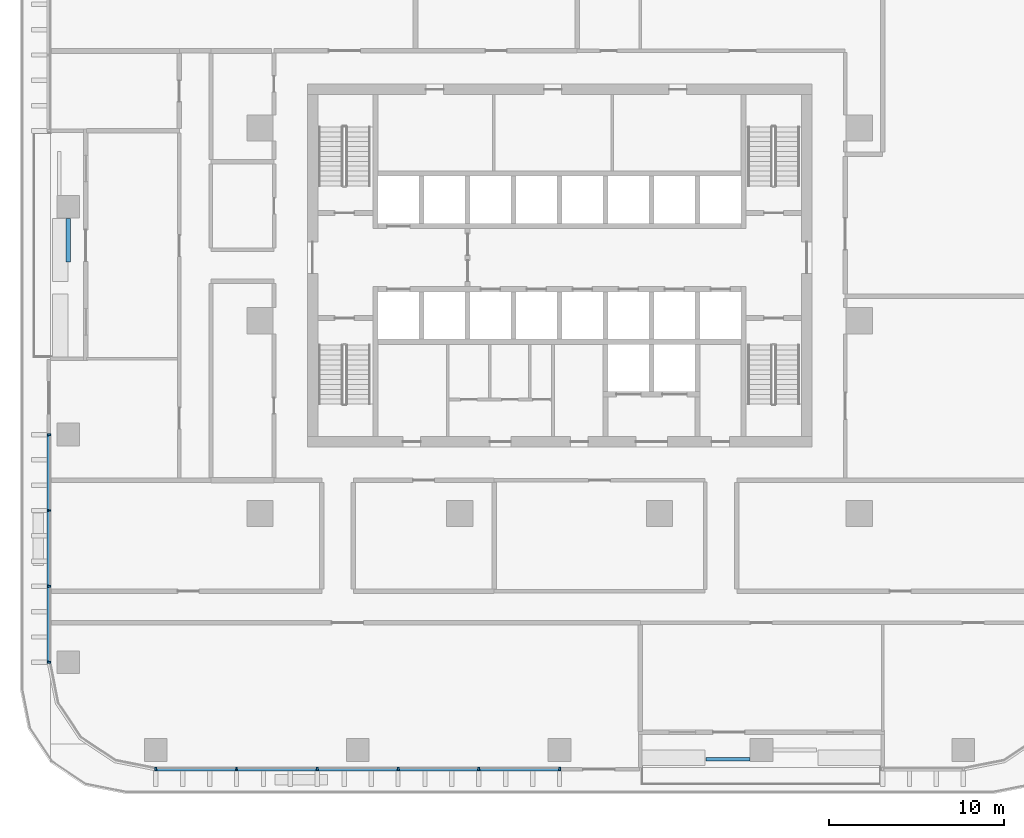
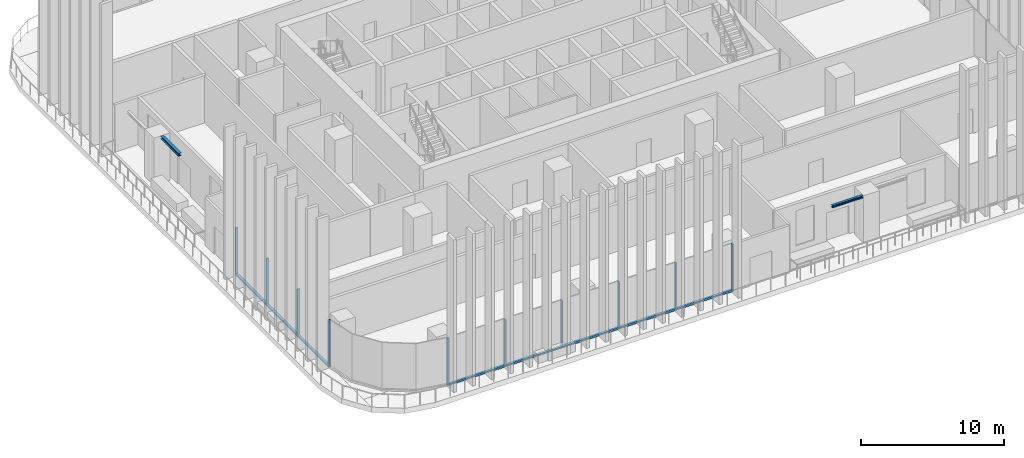
# One storey, part 2 of 18: 18 members, 2 beams, 2 elements without a shape of their own.
"""IFC4 building model written with IfcOpenShell, lengths in metres."""

from ifc_helpers import new_model, si_unit, direction, frame, origin, origin_2d, place, context, subcontext, project, spatial, rectangle, i_section, extrude, material, material_profile, profile_set, type_object, element, aggregate, save


model = new_model("IFC4")

# Units and contexts
model_context = context("Model", 3, precision=1e-05, world=origin(), true_north=direction((0.0, 1.0)))
body_context = subcontext(model_context, "Body", "Model", "MODEL_VIEW")
ifc_project = project(units=[si_unit("LENGTHUNIT", "METRE"), si_unit("AREAUNIT", "SQUARE_METRE"), si_unit("VOLUMEUNIT", "CUBIC_METRE"), si_unit("PLANEANGLEUNIT", "RADIAN"), si_unit("MASSUNIT", "GRAM", prefix="KILO")], contexts=[model_context])

# Site, building, storey
site_placement = place(None, origin())
site = spatial("IfcSite", under=ifc_project, at=site_placement, CompositionType="ELEMENT")
building_placement = place(site_placement, origin())
building = spatial("IfcBuilding", under=site, at=building_placement, Name="Mopane Tessera Tower", CompositionType="ELEMENT")
storey_placement = place(building_placement, frame((0.0, 0.0, 94.60009765625)))
storey = spatial("IfcBuildingStorey", under=building, at=storey_placement, Name="L18", CompositionType="ELEMENT", Elevation=94.60009765625)

# Curtain wall, members
ifc_material_1 = material(Name="Aluminium frame", Category="aluminium")
curtain_wall_type = type_object("IfcCurtainWallType", Name="Lower tower unitised wall", PredefinedType="NOTDEFINED", material=ifc_material_1)
curtain_wall_1_placement = place(storey_placement, origin())
curtain_wall_1 = element("IfcCurtainWall", 1, at=curtain_wall_1_placement, inside=storey, type_object=curtain_wall_type, Name="e:cw:L18:S:0", PredefinedType="NOTDEFINED")
ifc_material_2 = material(Name="Aluminium frame", Category="aluminium")
ifc_material_profile_1 = material_profile(ifc_material_2, rectangle(XDim=0.110107421875, YDim=0.199951171875, at=origin_2d()))
ifc_profile_set_1 = profile_set([ifc_material_profile_1], Name="Aluminium frame")
member_type_1 = type_object("IfcMemberType", Name="Aluminium mullion 110 x 200", PredefinedType="MULLION", material=ifc_profile_set_1)
member_1_placement = place(storey_placement, frame((-23.050048828125, -25.60009765625, 0.0), z_axis=(0.0, 0.0, 1.0), x_axis=(1.0, 0.0, 0.0)))
member_1 = element("IfcMember", 2, at=member_1_placement, type_object=member_type_1, Name="e:cw:L18:S:0:mu0", PredefinedType="MULLION", context=body_context, shape_type="SweptSolid", body=[
    extrude(rectangle(XDim=0.110107421875, YDim=0.199951171875, at=origin_2d()), origin(), (0.0, 0.0, 1.0), 4.0498046875),
])
member_2_placement = place(storey_placement, frame((-18.43994140625, -25.60009765625, 0.0), z_axis=(0.0, 0.0, 1.0), x_axis=(1.0, 0.0, 0.0)))
member_2 = element("IfcMember", 3, at=member_2_placement, type_object=member_type_1, Name="e:cw:L18:S:0:mu1", PredefinedType="MULLION", context=body_context, shape_type="SweptSolid", body=[
    extrude(rectangle(XDim=0.110107421875, YDim=0.199951171875, at=origin_2d()), origin(), (0.0, 0.0, 1.0), 4.0498046875),
])
member_3_placement = place(storey_placement, frame((-13.830078125, -25.60009765625, 0.0), z_axis=(0.0, 0.0, 1.0), x_axis=(1.0, 0.0, 0.0)))
member_3 = element("IfcMember", 4, at=member_3_placement, type_object=member_type_1, Name="e:cw:L18:S:0:mu2", PredefinedType="MULLION", context=body_context, shape_type="SweptSolid", body=[
    extrude(rectangle(XDim=0.110107421875, YDim=0.199951171875, at=origin_2d()), origin(), (0.0, 0.0, 1.0), 4.0498046875),
])
member_4_placement = place(storey_placement, frame((-9.219970703125, -25.60009765625, 0.0), z_axis=(0.0, 0.0, 1.0), x_axis=(1.0, 0.0, 0.0)))
member_4 = element("IfcMember", 5, at=member_4_placement, type_object=member_type_1, Name="e:cw:L18:S:0:mu3", PredefinedType="MULLION", context=body_context, shape_type="SweptSolid", body=[
    extrude(rectangle(XDim=0.110107421875, YDim=0.199951171875, at=origin_2d()), origin(), (0.0, 0.0, 1.0), 4.0498046875),
])
member_5_placement = place(storey_placement, frame((-4.610107421875, -25.60009765625, 0.0), z_axis=(0.0, 0.0, 1.0), x_axis=(1.0, 0.0, 0.0)))
member_5 = element("IfcMember", 6, at=member_5_placement, type_object=member_type_1, Name="e:cw:L18:S:0:mu4", PredefinedType="MULLION", context=body_context, shape_type="SweptSolid", body=[
    extrude(rectangle(XDim=0.110107421875, YDim=0.199951171875, at=origin_2d()), origin(), (0.0, 0.0, 1.0), 4.0498046875),
])
member_6_placement = place(storey_placement, frame((0.0, -25.60009765625, 0.0), z_axis=(0.0, 0.0, 1.0), x_axis=(1.0, 0.0, 0.0)))
member_6 = element("IfcMember", 7, at=member_6_placement, type_object=member_type_1, Name="e:cw:L18:S:0:mu5", PredefinedType="MULLION", context=body_context, shape_type="SweptSolid", body=[
    extrude(rectangle(XDim=0.110107421875, YDim=0.199951171875, at=origin_2d()), origin(), (0.0, 0.0, 1.0), 4.0498046875),
])

curtain_wall_2_placement = place(storey_placement, origin())
curtain_wall_2 = element("IfcCurtainWall", 8, at=curtain_wall_2_placement, inside=storey, type_object=curtain_wall_type, Name="e:cw:L18:W:6", PredefinedType="NOTDEFINED")
member_7_placement = place(storey_placement, frame((-29.14990234375, -6.5, 0.0), z_axis=(0.0, 0.0, 1.0), x_axis=(0.0, -1.0, 0.0)))
member_7 = element("IfcMember", 9, at=member_7_placement, type_object=member_type_1, Name="e:cw:L18:W:6:mu6", PredefinedType="MULLION", context=body_context, shape_type="SweptSolid", body=[
    extrude(rectangle(XDim=0.110107421875, YDim=0.199951171875, at=origin_2d()), origin(), (0.0, 0.0, 1.0), 4.0498046875),
])
member_8_placement = place(storey_placement, frame((-29.14990234375, -10.833251953125, 0.0), z_axis=(0.0, 0.0, 1.0), x_axis=(0.0, -1.0, 0.0)))
member_8 = element("IfcMember", 10, at=member_8_placement, type_object=member_type_1, Name="e:cw:L18:W:6:mu7", PredefinedType="MULLION", context=body_context, shape_type="SweptSolid", body=[
    extrude(rectangle(XDim=0.110107421875, YDim=0.199951171875, at=origin_2d()), origin(), (0.0, 0.0, 1.0), 4.0498046875),
])
member_9_placement = place(storey_placement, frame((-29.14990234375, -15.166748046875, 0.0), z_axis=(0.0, 0.0, 1.0), x_axis=(0.0, -1.0, 0.0)))
member_9 = element("IfcMember", 11, at=member_9_placement, type_object=member_type_1, Name="e:cw:L18:W:6:mu8", PredefinedType="MULLION", context=body_context, shape_type="SweptSolid", body=[
    extrude(rectangle(XDim=0.110107421875, YDim=0.199951171875, at=origin_2d()), origin(), (0.0, 0.0, 1.0), 4.0498046875),
])
member_10_placement = place(storey_placement, frame((-29.14990234375, -19.5, 0.0), z_axis=(0.0, 0.0, 1.0), x_axis=(0.0, -1.0, 0.0)))
member_10 = element("IfcMember", 12, at=member_10_placement, type_object=member_type_1, Name="e:cw:L18:W:6:mu9", PredefinedType="MULLION", context=body_context, shape_type="SweptSolid", body=[
    extrude(rectangle(XDim=0.110107421875, YDim=0.199951171875, at=origin_2d()), origin(), (0.0, 0.0, 1.0), 4.0498046875),
])

# Member
ifc_material_3 = material(Name="Aluminium frame", Category="aluminium")
ifc_material_profile_2 = material_profile(ifc_material_3, rectangle(XDim=0.199951171875, YDim=0.139892578125, at=origin_2d()))
ifc_profile_set_2 = profile_set([ifc_material_profile_2], Name="Aluminium frame")
member_type_2 = type_object("IfcMemberType", Name="Aluminium transom 200 x 140", PredefinedType="USERDEFINED", material=ifc_profile_set_2)
member_11_placement = place(storey_placement, frame((-22.9951171875, -25.60009765625, 0.06982421875), z_axis=(1.0, 0.0, 0.0), x_axis=(0.0, 1.0, 0.0)))
member_11 = element("IfcMember", 13, at=member_11_placement, type_object=member_type_2, Name="e:cw:L18:S:0:tr0", ObjectType="TRANSOM", PredefinedType="USERDEFINED", context=body_context, shape_type="SweptSolid", body=[
    extrude(rectangle(XDim=0.199951171875, YDim=0.139892578125, at=origin_2d()), origin(), (0.0, 0.0, 1.0), 4.5),
])

member_12_placement = place(storey_placement, frame((-18.385009765625, -25.60009765625, 0.06982421875), z_axis=(1.0, 0.0, 0.0), x_axis=(0.0, 1.0, 0.0)))
member_12 = element("IfcMember", 14, at=member_12_placement, type_object=member_type_2, Name="e:cw:L18:S:0:tr1", ObjectType="TRANSOM", PredefinedType="USERDEFINED", context=body_context, shape_type="SweptSolid", body=[
    extrude(rectangle(XDim=0.199951171875, YDim=0.139892578125, at=origin_2d()), origin(), (0.0, 0.0, 1.0), 4.5),
])

member_13_placement = place(storey_placement, frame((-13.77490234375, -25.60009765625, 0.06982421875), z_axis=(1.0, 0.0, 0.0), x_axis=(0.0, 1.0, 0.0)))
member_13 = element("IfcMember", 15, at=member_13_placement, type_object=member_type_2, Name="e:cw:L18:S:0:tr2", ObjectType="TRANSOM", PredefinedType="USERDEFINED", context=body_context, shape_type="SweptSolid", body=[
    extrude(rectangle(XDim=0.199951171875, YDim=0.139892578125, at=origin_2d()), origin(), (0.0, 0.0, 1.0), 4.5),
])

member_14_placement = place(storey_placement, frame((-9.1650390625, -25.60009765625, 0.06982421875), z_axis=(1.0, 0.0, 0.0), x_axis=(0.0, 1.0, 0.0)))
member_14 = element("IfcMember", 16, at=member_14_placement, type_object=member_type_2, Name="e:cw:L18:S:0:tr3", ObjectType="TRANSOM", PredefinedType="USERDEFINED", context=body_context, shape_type="SweptSolid", body=[
    extrude(rectangle(XDim=0.199951171875, YDim=0.139892578125, at=origin_2d()), origin(), (0.0, 0.0, 1.0), 4.5),
])

member_15_placement = place(storey_placement, frame((-4.554931640625, -25.60009765625, 0.06982421875), z_axis=(1.0, 0.0, 0.0), x_axis=(0.0, 1.0, 0.0)))
member_15 = element("IfcMember", 17, at=member_15_placement, type_object=member_type_2, Name="e:cw:L18:S:0:tr4", ObjectType="TRANSOM", PredefinedType="USERDEFINED", context=body_context, shape_type="SweptSolid", body=[
    extrude(rectangle(XDim=0.199951171875, YDim=0.139892578125, at=origin_2d()), origin(), (0.0, 0.0, 1.0), 4.5),
])

aggregate(curtain_wall_1, [member_1, member_2, member_3, member_4, member_5, member_6, member_11, member_12, member_13, member_14, member_15])

member_16_placement = place(storey_placement, frame((-29.14990234375, -6.554931640625, 0.06982421875), z_axis=(0.0, -1.0, 0.0), x_axis=(1.0, 0.0, 0.0)))
member_16 = element("IfcMember", 18, at=member_16_placement, type_object=member_type_2, Name="e:cw:L18:W:6:tr6", ObjectType="TRANSOM", PredefinedType="USERDEFINED", context=body_context, shape_type="SweptSolid", body=[
    extrude(rectangle(XDim=0.199951171875, YDim=0.139892578125, at=origin_2d()), origin(), (0.0, 0.0, 1.0), 4.223388671875),
])

member_17_placement = place(storey_placement, frame((-29.14990234375, -10.888427734375, 0.06982421875), z_axis=(0.0, -1.0, 0.0), x_axis=(1.0, 0.0, 0.0)))
member_17 = element("IfcMember", 19, at=member_17_placement, type_object=member_type_2, Name="e:cw:L18:W:6:tr7", ObjectType="TRANSOM", PredefinedType="USERDEFINED", context=body_context, shape_type="SweptSolid", body=[
    extrude(rectangle(XDim=0.199951171875, YDim=0.139892578125, at=origin_2d()), origin(), (0.0, 0.0, 1.0), 4.22314453125),
])

member_18_placement = place(storey_placement, frame((-29.14990234375, -15.2216796875, 0.06982421875), z_axis=(0.0, -1.0, 0.0), x_axis=(1.0, 0.0, 0.0)))
member_18 = element("IfcMember", 20, at=member_18_placement, type_object=member_type_2, Name="e:cw:L18:W:6:tr8", ObjectType="TRANSOM", PredefinedType="USERDEFINED", context=body_context, shape_type="SweptSolid", body=[
    extrude(rectangle(XDim=0.199951171875, YDim=0.139892578125, at=origin_2d()), origin(), (0.0, 0.0, 1.0), 4.223388671875),
])

aggregate(curtain_wall_2, [member_7, member_8, member_9, member_10, member_16, member_17, member_18])

# Beams
ifc_material_4 = material(Name="Structural steel S460", Category="steel")
ifc_material_profile_3 = material_profile(ifc_material_4, i_section(OverallWidth=0.239990234375, OverallDepth=0.239990234375, WebThickness=0.010009765625, FlangeThickness=0.01708984375, FilletRadius=0.02099609375, at=origin_2d()))
ifc_profile_set_3 = profile_set([ifc_material_profile_3], Name="Structural steel S460")
beam_type_1 = type_object("IfcBeamType", Name="Terrace spandrel beam HE 240 B", PredefinedType="SPANDREL", material=ifc_profile_set_3)
beam_1_placement = place(storey_placement, frame((-28.050048828125, 5.846923828125, 3.929931640625), z_axis=(0.0, -1.0, 0.0), x_axis=(1.0, 0.0, 0.0)))
element("IfcBeam", 21, at=beam_1_placement, inside=storey, type_object=beam_type_1, Name="Terrace spandrel beam N2 L19", PredefinedType="SPANDREL", context=body_context, shape_type="SweptSolid", body=[
    extrude(i_section(OverallWidth=0.239990234375, OverallDepth=0.239990234375, WebThickness=0.010009765625, FlangeThickness=0.01708984375, FilletRadius=0.02099609375, at=origin_2d()), origin(), (0.0, 0.0, 1.0), 2.5),
])
ifc_material_5 = material(Name="Structural steel S460", Category="steel")
ifc_material_profile_4 = material_profile(ifc_material_5, i_section(OverallWidth=0.199951171875, OverallDepth=0.199951171875, WebThickness=0.009033203125, FlangeThickness=0.014892578125, FilletRadius=0.01806640625, at=origin_2d()))
ifc_profile_set_4 = profile_set([ifc_material_profile_4], Name="Structural steel S460")
beam_type_2 = type_object("IfcBeamType", Name="Terrace trimmer beam HE 200 B", PredefinedType="BEAM", material=ifc_profile_set_4)
beam_2_placement = place(storey_placement, frame((10.871826171875, -25.02001953125, 3.949951171875), z_axis=(-1.0, 0.0, 0.0), x_axis=(0.0, -1.0, 0.0)))
element("IfcBeam", 22, at=beam_2_placement, inside=storey, type_object=beam_type_2, Name="Terrace trimmer beam N3 L19", PredefinedType="BEAM", context=body_context, shape_type="SweptSolid", body=[
    extrude(i_section(OverallWidth=0.199951171875, OverallDepth=0.199951171875, WebThickness=0.009033203125, FlangeThickness=0.014892578125, FilletRadius=0.01806640625, at=origin_2d()), origin(), (0.0, 0.0, 1.0), 2.5),
])

save(model, "model.ifc")
